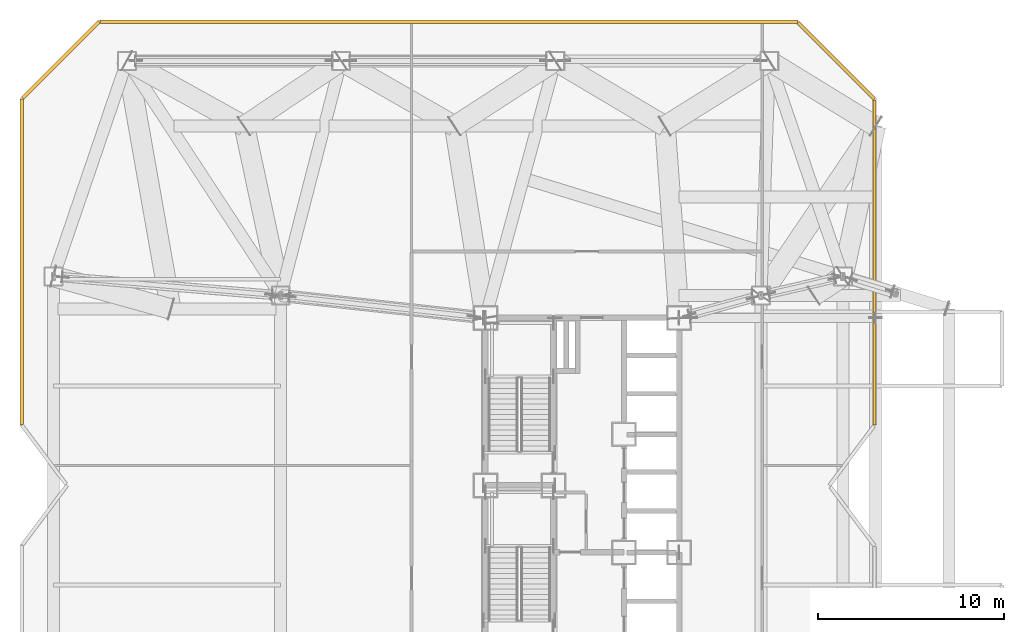
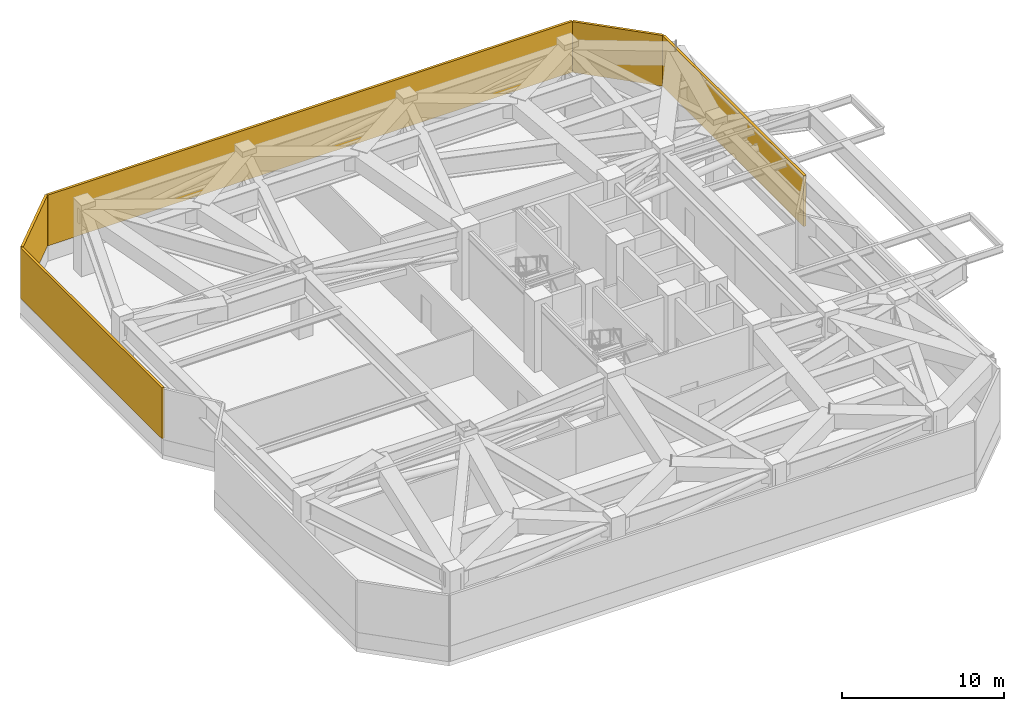
# One storey, part 18 of 18: 5 shading devices.
"""IFC4 building model written with IfcOpenShell, lengths in metres."""

from ifc_helpers import new_model, si_unit, direction, frame, origin, origin_2d, place, context, subcontext, project, spatial, rectangle, extrude, material, type_object, element, save


model = new_model("IFC4")

# Units and contexts
model_context = context("Model", 3, precision=1e-05, world=origin(), true_north=direction((0.0, 1.0)))
body_context = subcontext(model_context, "Body", "Model", "MODEL_VIEW")
ifc_project = project(units=[si_unit("LENGTHUNIT", "METRE"), si_unit("AREAUNIT", "SQUARE_METRE"), si_unit("VOLUMEUNIT", "CUBIC_METRE"), si_unit("PLANEANGLEUNIT", "RADIAN"), si_unit("MASSUNIT", "GRAM", prefix="KILO")], contexts=[model_context])

# Site, building, storey
site_placement = place(None, origin())
site = spatial("IfcSite", under=ifc_project, at=site_placement, CompositionType="ELEMENT")
building_placement = place(site_placement, origin())
building = spatial("IfcBuilding", under=site, at=building_placement, Name="Khamvora Tower", CompositionType="ELEMENT")
storey_placement = place(building_placement, frame((0.0, 0.0, 84.39990234375)))
storey = spatial("IfcBuildingStorey", under=building, at=storey_placement, Name="L21", CompositionType="ELEMENT", Elevation=84.39990234375)

# Shading devices
ifc_material = material(Name="Pale Anodised Aluminium 6063-T6", Category="aluminium")
shading_device_type = type_object("IfcShadingDeviceType", Name="SHD-LVR-150", PredefinedType="JALOUSIE", material=ifc_material)
shading_device_1_placement = place(storey_placement, frame((4.10009765625, 40.02197265625, 1.150146484375), z_axis=(0.0, 0.0, 1.0), x_axis=(0.0, 1.0, 0.0)))
element("IfcShadingDevice", 1, at=shading_device_1_placement, inside=storey, type_object=shading_device_type, Name="L21 mechanical weather louvre 05.1", PredefinedType="JALOUSIE", context=body_context, shape_type="SweptSolid", body=[
    extrude(rectangle(XDim=17.47509765625, YDim=0.179931640625, at=origin_2d()), origin(), (0.0, 0.0, 1.0), 3.830078125),
])
shading_device_2_placement = place(storey_placement, frame((6.193115234375, 50.85205078125, 1.150146484375), z_axis=(0.0, 0.0, 1.0), x_axis=(0.707106781187, 0.707106781187, 0.0)))
element("IfcShadingDevice", 2, at=shading_device_2_placement, inside=storey, type_object=shading_device_type, Name="L21 mechanical weather louvre 06.1", PredefinedType="JALOUSIE", context=body_context, shape_type="SweptSolid", body=[
    extrude(rectangle(XDim=5.79296875, YDim=0.179931640625, at=origin_2d()), origin(), (0.0, 0.0, 1.0), 3.830078125),
])
shading_device_3_placement = place(storey_placement, frame((27.030029296875, 52.89990234375, 1.150146484375), z_axis=(0.0, 0.0, 1.0), x_axis=(1.0, 0.0, 0.0)))
element("IfcShadingDevice", 3, at=shading_device_3_placement, inside=storey, type_object=shading_device_type, Name="L21 mechanical weather louvre 07.1", PredefinedType="JALOUSIE", context=body_context, shape_type="SweptSolid", body=[
    extrude(rectangle(XDim=37.45703125, YDim=0.179931640625, at=origin_2d()), origin(), (0.0, 0.0, 1.0), 3.830078125),
])
shading_device_4_placement = place(storey_placement, frame((47.85107421875, 50.80810546875, 1.150146484375), z_axis=(0.0, 0.0, 1.0), x_axis=(0.707106781187, -0.707106781187, 0.0)))
element("IfcShadingDevice", 4, at=shading_device_4_placement, inside=storey, type_object=shading_device_type, Name="L21 mechanical weather louvre 08.1", PredefinedType="JALOUSIE", context=body_context, shape_type="SweptSolid", body=[
    extrude(rectangle(XDim=5.794921875, YDim=0.179931640625, at=origin_2d()), origin(), (0.0, 0.0, 1.0), 3.830078125),
])
shading_device_5_placement = place(storey_placement, frame((49.89990234375, 39.965087890625, 1.150146484375), z_axis=(0.0, 0.0, 1.0), x_axis=(0.0, -1.0, 0.0)))
element("IfcShadingDevice", 5, at=shading_device_5_placement, inside=storey, type_object=shading_device_type, Name="L21 mechanical weather louvre 09.1", PredefinedType="JALOUSIE", context=body_context, shape_type="SweptSolid", body=[
    extrude(rectangle(XDim=17.462890625, YDim=0.179931640625, at=origin_2d()), origin(), (0.0, 0.0, 1.0), 3.830078125),
])

save(model, "model.ifc")
